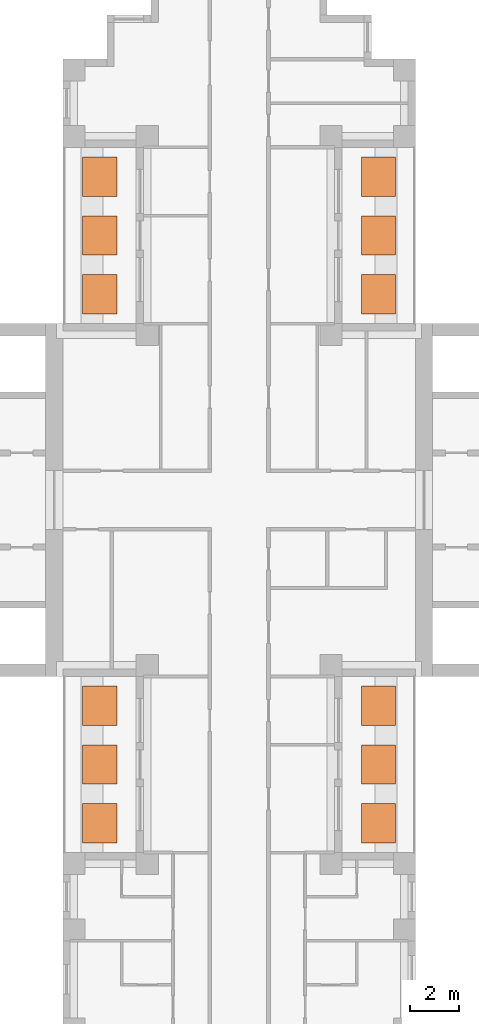
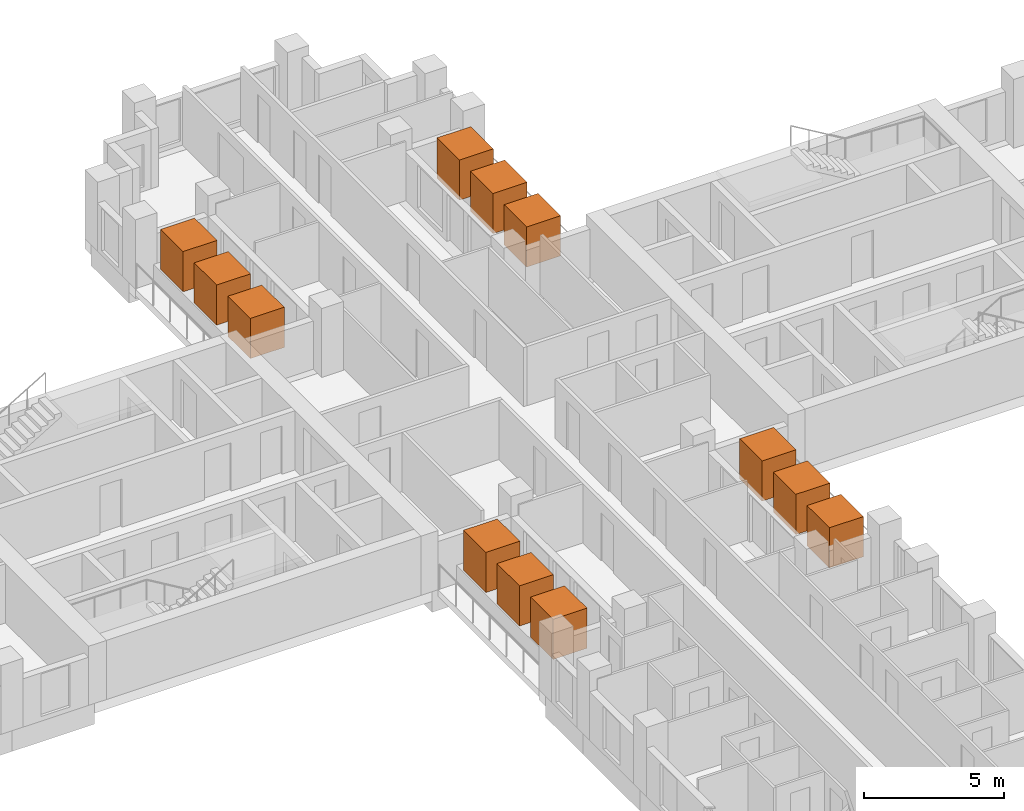
# One storey, part 14 of 14: 12 geographic elements.
"""IFC4 building model written with IfcOpenShell, lengths in metres."""

from ifc_helpers import new_model, si_unit, direction, frame, origin, origin_2d, place, context, subcontext, project, spatial, rectangle, extrude, material, element, save


model = new_model("IFC4")

# Units and contexts
model_context = context("Model", 3, precision=1e-05, world=origin(), true_north=direction((0.0, 1.0)))
body_context = subcontext(model_context, "Body", "Model", "MODEL_VIEW")
ifc_project = project(units=[si_unit("LENGTHUNIT", "METRE"), si_unit("AREAUNIT", "SQUARE_METRE"), si_unit("VOLUMEUNIT", "CUBIC_METRE"), si_unit("PLANEANGLEUNIT", "RADIAN"), si_unit("MASSUNIT", "GRAM", prefix="KILO")], contexts=[model_context])

# Site, building, storey
site_placement = place(None, origin())
site = spatial("IfcSite", under=ifc_project, at=site_placement, CompositionType="ELEMENT")
building_placement = place(site_placement, origin())
building = spatial("IfcBuilding", under=site, at=building_placement, Name="Fustian Cross Tower", CompositionType="ELEMENT")
storey_placement = place(building_placement, frame((0.0, 0.0, 99.89990234375)))
storey = spatial("IfcBuildingStorey", under=building, at=storey_placement, Name="L31", CompositionType="ELEMENT", Elevation=99.89990234375)

# Geographic elements
ifc_material = material(Name="Evergreen foliage")
for number, where, z_axis, x_axis, name in (
    (1, (5.68994140625, 8.39990234375, 0.800048828125), (0.0, 0.0, 1.0), (1.0, 0.0, 0.0), "TREE field maple"),
    (2, (5.68994140625, 10.800048828125, 0.800048828125), (0.0, 0.0, 1.0), (1.0, 0.0, 0.0), "TREE field maple"),
    (3, (5.68994140625, 13.199951171875, 0.800048828125), (0.0, 0.0, 1.0), (1.0, 0.0, 0.0), "TREE field maple"),
    (4, (-5.68994140625, 8.39990234375, 0.800048828125), (0.0, 0.0, 1.0), (1.0, 0.0, 0.0), "TREE field maple"),
    (5, (-5.68994140625, 10.800048828125, 0.800048828125), (0.0, 0.0, 1.0), (1.0, 0.0, 0.0), "TREE field maple"),
    (6, (-5.68994140625, 13.199951171875, 0.800048828125), (0.0, 0.0, 1.0), (1.0, 0.0, 0.0), "TREE field maple"),
    (7, (5.68994140625, -13.199951171875, 0.800048828125), (0.0, 0.0, 1.0), (1.0, 0.0, 0.0), "TREE field maple"),
    (8, (5.68994140625, -10.800048828125, 0.800048828125), (0.0, 0.0, 1.0), (1.0, 0.0, 0.0), "TREE field maple"),
    (9, (5.68994140625, -8.39990234375, 0.800048828125), (0.0, 0.0, 1.0), (1.0, 0.0, 0.0), "TREE field maple"),
    (10, (-5.68994140625, -13.199951171875, 0.800048828125), (0.0, 0.0, 1.0), (1.0, 0.0, 0.0), "TREE field maple"),
    (11, (-5.68994140625, -10.800048828125, 0.800048828125), (0.0, 0.0, 1.0), (1.0, 0.0, 0.0), "TREE field maple"),
    (12, (-5.68994140625, -8.39990234375, 0.800048828125), (0.0, 0.0, 1.0), (1.0, 0.0, 0.0), "TREE field maple"),
):
    element("IfcGeographicElement", number, at=place(storey_placement, frame(where, z_axis=z_axis, x_axis=x_axis)), inside=storey, material=ifc_material, Name=name, ObjectType="VEGETATION", PredefinedType="USERDEFINED", context=body_context, shape_type="SweptSolid", body=[
        extrude(rectangle(XDim=1.39990234375, YDim=1.60009765625, at=origin_2d()), origin(), (0.0, 0.0, 1.0), 1.75),
    ])

save(model, "model.ifc")
